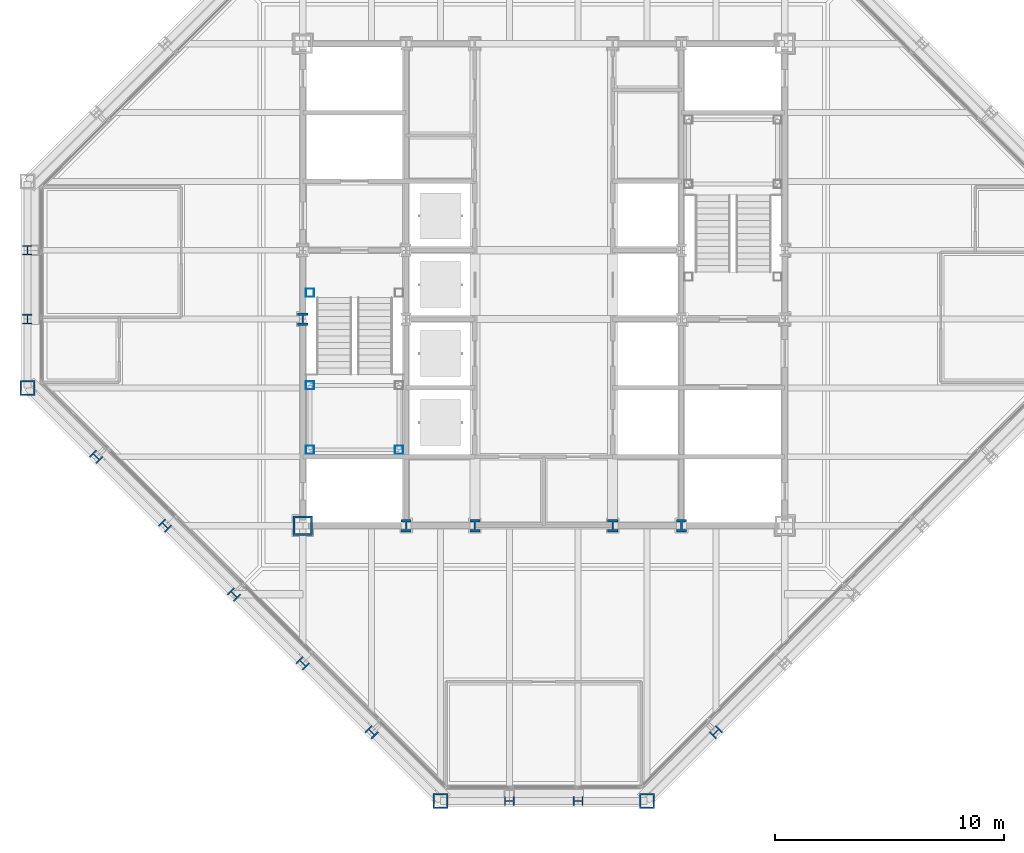
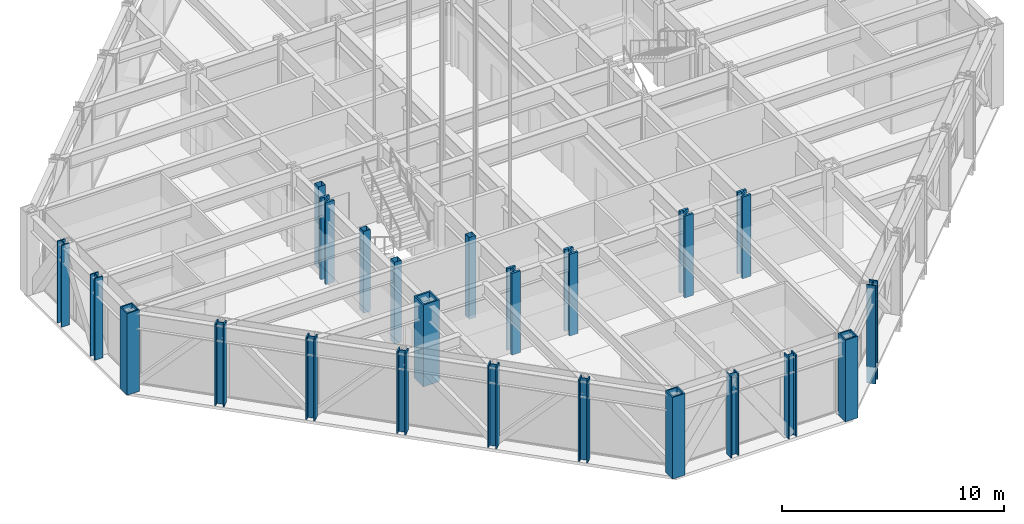
# One storey, part 1 of 24: 23 columns.
"""IFC4 building model written with IfcOpenShell, lengths in metres."""

from ifc_helpers import new_model, si_unit, direction, frame, origin, origin_2d, place, context, subcontext, project, spatial, hollow_rectangle, i_section, extrude, material, material_profile, profile_set, type_object, element, save


model = new_model("IFC4")

# Units and contexts
model_context = context("Model", 3, precision=1e-05, world=origin(), true_north=direction((0.0, 1.0)))
body_context = subcontext(model_context, "Body", "Model", "MODEL_VIEW")
ifc_project = project(units=[si_unit("LENGTHUNIT", "METRE"), si_unit("AREAUNIT", "SQUARE_METRE"), si_unit("VOLUMEUNIT", "CUBIC_METRE"), si_unit("PLANEANGLEUNIT", "RADIAN"), si_unit("MASSUNIT", "GRAM", prefix="KILO")], contexts=[model_context])

# Site, building, storey
site_placement = place(None, origin())
site = spatial("IfcSite", under=ifc_project, at=site_placement, CompositionType="ELEMENT")
building_placement = place(site_placement, origin())
building = spatial("IfcBuilding", under=site, at=building_placement, Name="Chuquiago Exchange Tower", CompositionType="ELEMENT")
storey_placement = place(building_placement, frame((0.0, 0.0, 257.699951171875)))
storey = spatial("IfcBuildingStorey", under=building, at=storey_placement, Name="L57", CompositionType="ELEMENT", Elevation=257.699951171875)

# Columns
ifc_material_1 = material(Name="Steel ASTM A992", Category="steel")
ifc_material_profile_1 = material_profile(ifc_material_1, i_section(OverallWidth=0.411376953125, OverallDepth=0.434326171875, WebThickness=0.035888671875, FlangeThickness=0.057373046875, at=origin_2d()), Name="W14X311")
ifc_profile_set_1 = profile_set([ifc_material_profile_1], Name="Steel ASTM A992")
column_type_1 = type_object("IfcColumnType", Name="C5 W14X311", PredefinedType="COLUMN", material=ifc_profile_set_1)
for number, where, z_axis, x_axis, name in (
    (1, (21.0, 0.0, 0.0), (0.0, 0.0, 1.0), (0.0, -1.0, 0.0), "COL-L57-21_0"),
    (2, (24.0, 0.0, 0.0), (0.0, 0.0, 1.0), (0.0, -1.0, 0.0), "COL-L57-24_0"),
    (3, (0.0, 24.0, 0.0), (0.0, 0.0, 1.0), (-1.0, 0.0, 0.0), "COL-L57-0_24"),
    (4, (0.0, 21.0, 0.0), (0.0, 0.0, 1.0), (-1.0, 0.0, 0.0), "COL-L57-0_21"),
):
    element("IfcColumn", number, at=place(storey_placement, frame(where, z_axis=z_axis, x_axis=x_axis)), inside=storey, type_object=column_type_1, Name=name, PredefinedType="COLUMN", context=body_context, shape_type="SweptSolid", body=[
        extrude(i_section(OverallWidth=0.411376953125, OverallDepth=0.434326171875, WebThickness=0.035888671875, FlangeThickness=0.057373046875, at=origin_2d()), origin(), (0.0, 0.0, 1.0), 4.5),
    ])
ifc_material_2 = material(Name="Steel ASTM A992", Category="steel")
ifc_material_profile_2 = material_profile(ifc_material_2, i_section(OverallWidth=0.449462890625, OverallDepth=0.548583984375, WebThickness=0.07177734375, FlangeThickness=0.11474609375, at=origin_2d()), Name="W14X665")
ifc_profile_set_2 = profile_set([ifc_material_profile_2], Name="Steel ASTM A992")
column_type_2 = type_object("IfcColumnType", Name="CC5 W14X665", PredefinedType="COLUMN", material=ifc_profile_set_2)
for number, where, z_axis, x_axis, name in (
    (5, (16.5, 12.0, 0.0), (0.0, 0.0, 1.0), (1.0, 0.0, 0.0), "CCOL-L57-16.5_12"),
    (6, (19.5, 12.0, 0.0), (0.0, 0.0, 1.0), (1.0, 0.0, 0.0), "CCOL-L57-19.5_12"),
    (7, (25.5, 12.0, 0.0), (0.0, 0.0, 1.0), (1.0, 0.0, 0.0), "CCOL-L57-25.5_12"),
    (8, (28.5, 12.0, 0.0), (0.0, 0.0, 1.0), (1.0, 0.0, 0.0), "CCOL-L57-28.5_12"),
    (9, (12.0, 21.0, 0.0), (0.0, 0.0, 1.0), (1.0, 0.0, 0.0), "CCOL-L57-12_21"),
):
    element("IfcColumn", number, at=place(storey_placement, frame(where, z_axis=z_axis, x_axis=x_axis)), inside=storey, type_object=column_type_2, Name=name, PredefinedType="COLUMN", context=body_context, shape_type="SweptSolid", body=[
        extrude(i_section(OverallWidth=0.449462890625, OverallDepth=0.548583984375, WebThickness=0.07177734375, FlangeThickness=0.11474609375, at=origin_2d()), origin(), (0.0, 0.0, 1.0), 4.5),
    ])
ifc_material_3 = material(Name="Steel ASTM A572 Grade 50", Category="steel")
ifc_material_profile_3 = material_profile(ifc_material_3, hollow_rectangle(XDim=0.85009765625, YDim=0.85009765625, WallThickness=0.0849609375, at=origin_2d()), Name="BOX850X850X85")
ifc_profile_set_3 = profile_set([ifc_material_profile_3], Name="Steel ASTM A572 Grade 50")
column_type_3 = type_object("IfcColumnType", Name="CC6 BOX850X850X85", PredefinedType="COLUMN", material=ifc_profile_set_3)
column_1_placement = place(storey_placement, frame((12.0, 12.0, 0.0), z_axis=(0.0, 0.0, 1.0), x_axis=(1.0, 0.0, 0.0)))
element("IfcColumn", 10, at=column_1_placement, inside=storey, type_object=column_type_3, Name="CCOL-L57-12_12", PredefinedType="COLUMN", context=body_context, shape_type="SweptSolid", body=[
    extrude(hollow_rectangle(XDim=0.85009765625, YDim=0.85009765625, WallThickness=0.0849609375, at=origin_2d()), origin(), (0.0, 0.0, 1.0), 4.5),
])
ifc_material_4 = material(Name="Steel ASTM A992", Category="steel")
ifc_material_profile_4 = material_profile(ifc_material_4, i_section(OverallWidth=0.41650390625, OverallDepth=0.444580078125, WebThickness=0.0390625, FlangeThickness=0.062744140625, at=origin_2d()), Name="W14X342")
ifc_profile_set_4 = profile_set([ifc_material_profile_4], Name="Steel ASTM A992")
column_type_4 = type_object("IfcColumnType", Name="CK5 W14X342", PredefinedType="COLUMN", material=ifc_profile_set_4)
column_2_placement = place(storey_placement, frame((30.0, 3.0, -0.909912109375), z_axis=(0.0, 0.0, 1.0), x_axis=(0.707106781187, -0.707106781187, 0.0)))
element("IfcColumn", 11, at=column_2_placement, inside=storey, type_object=column_type_4, Name="COL-L57-30_3", PredefinedType="COLUMN", context=body_context, shape_type="SweptSolid", body=[
    extrude(i_section(OverallWidth=0.41650390625, OverallDepth=0.444580078125, WebThickness=0.0390625, FlangeThickness=0.062744140625, at=origin_2d()), origin(), (0.0, 0.0, 1.0), 5.409912109375),
])
for number, where, z_axis, x_axis, name in (
    (12, (3.0, 15.0, 0.0), (0.0, 0.0, 1.0), (-0.707106781187, -0.707106781187, 0.0), "COL-L57-3_15"),
    (13, (6.0, 12.0, 0.0), (0.0, 0.0, 1.0), (-0.707106781187, -0.707106781187, 0.0), "COL-L57-6_12"),
    (14, (9.0, 9.0, 0.0), (0.0, 0.0, 1.0), (-0.707106781187, -0.707106781187, 0.0), "COL-L57-9_9"),
    (15, (12.0, 6.0, 0.0), (0.0, 0.0, 1.0), (-0.707106781187, -0.707106781187, 0.0), "COL-L57-12_6"),
    (16, (15.0, 3.0, 0.0), (0.0, 0.0, 1.0), (-0.707106781187, -0.707106781187, 0.0), "COL-L57-15_3"),
):
    element("IfcColumn", number, at=place(storey_placement, frame(where, z_axis=z_axis, x_axis=x_axis)), inside=storey, type_object=column_type_4, Name=name, PredefinedType="COLUMN", context=body_context, shape_type="SweptSolid", body=[
        extrude(i_section(OverallWidth=0.41650390625, OverallDepth=0.444580078125, WebThickness=0.0390625, FlangeThickness=0.062744140625, at=origin_2d()), origin(), (0.0, 0.0, 1.0), 4.5),
    ])
ifc_material_5 = material(Name="Steel ASTM A572 Grade 50", Category="steel")
ifc_material_profile_5 = material_profile(ifc_material_5, hollow_rectangle(XDim=0.64990234375, YDim=0.64990234375, WallThickness=0.06494140625, at=origin_2d()), Name="BOX650X650X65")
ifc_profile_set_5 = profile_set([ifc_material_profile_5], Name="Steel ASTM A572 Grade 50")
column_type_5 = type_object("IfcColumnType", Name="CN2 BOX650X650X65", PredefinedType="COLUMN", material=ifc_profile_set_5)
for number, where, z_axis, x_axis, name in (
    (17, (18.0, 0.0, 0.0), (0.0, 0.0, 1.0), (0.0, -1.0, 0.0), "COL-L57-18_0"),
    (18, (27.0, 0.0, 0.0), (0.0, 0.0, 1.0), (0.0, -1.0, 0.0), "COL-L57-27_0"),
    (19, (0.0, 18.0, 0.0), (0.0, 0.0, 1.0), (-1.0, 0.0, 0.0), "COL-L57-0_18"),
):
    element("IfcColumn", number, at=place(storey_placement, frame(where, z_axis=z_axis, x_axis=x_axis)), inside=storey, type_object=column_type_5, Name=name, PredefinedType="COLUMN", context=body_context, shape_type="SweptSolid", body=[
        extrude(hollow_rectangle(XDim=0.64990234375, YDim=0.64990234375, WallThickness=0.06494140625, at=origin_2d()), origin(), (0.0, 0.0, 1.0), 4.5),
    ])
ifc_material_6 = material(Name="Steel ASTM A500 Grade C", Category="steel")
ifc_material_profile_6 = material_profile(ifc_material_6, hollow_rectangle(XDim=0.355712890625, YDim=0.355712890625, WallThickness=0.0087890625, at=origin_2d()), Name="HSS14X14X3/8")
ifc_profile_set_6 = profile_set([ifc_material_profile_6], Name="Steel ASTM A500 Grade C")
column_type_6 = type_object("IfcColumnType", Name="PT1 HSS14X14X3/8", PredefinedType="COLUMN", material=ifc_profile_set_6)
for number, where, z_axis, x_axis, name in (
    (20, (12.31005859375, 15.31005859375, 0.0), (0.0, 0.0, 1.0), (1.0, 0.0, 0.0), "Stair ST1 L57 landing post"),
    (21, (16.18994140625, 15.31005859375, 0.0), (0.0, 0.0, 1.0), (1.0, 0.0, 0.0), "Stair ST1 L57 landing post"),
    (22, (12.31005859375, 18.110107421875, 0.0), (0.0, 0.0, 1.0), (1.0, 0.0, 0.0), "Stair ST1 L57 landing post"),
    (23, (12.31005859375, 22.14990234375, 0.0), (0.0, 0.0, 1.0), (1.0, 0.0, 0.0), "Stair ST1 L57 landing post"),
):
    element("IfcColumn", number, at=place(storey_placement, frame(where, z_axis=z_axis, x_axis=x_axis)), inside=storey, type_object=column_type_6, Name=name, PredefinedType="COLUMN", context=body_context, shape_type="SweptSolid", body=[
        extrude(hollow_rectangle(XDim=0.355712890625, YDim=0.355712890625, WallThickness=0.0087890625, at=origin_2d()), origin(), (0.0, 0.0, 1.0), 4.5),
    ])

save(model, "model.ifc")
